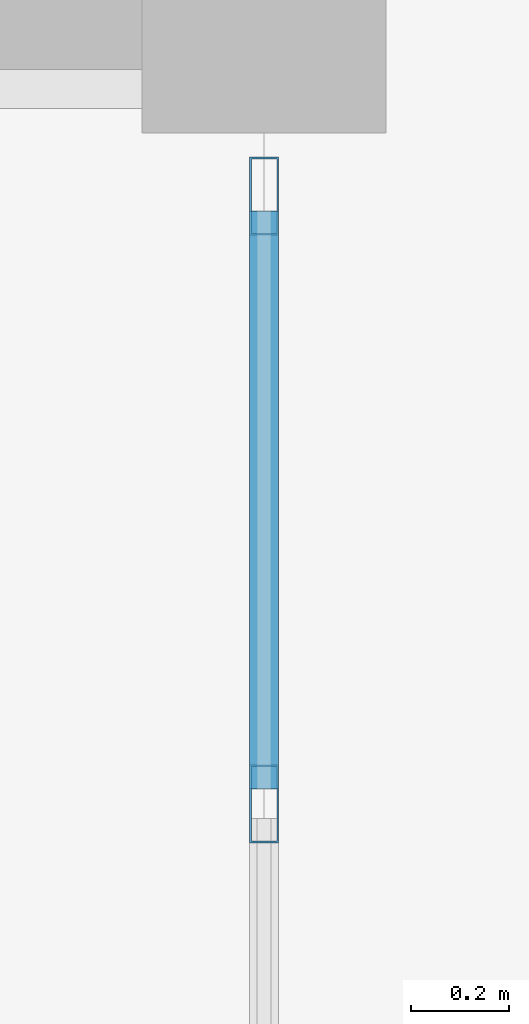
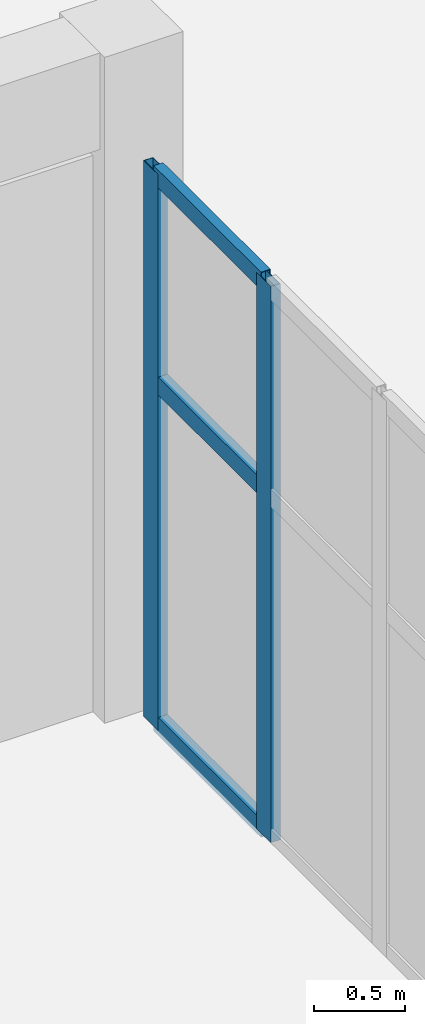
# One storey, part 29 of 132: 5 members, 1 element without a shape of its own.
"""IFC4 building model written with IfcOpenShell, lengths in metres."""

from ifc_helpers import new_model, si_unit, direction, frame, origin, origin_2d, place, context, subcontext, project, spatial, hollow_rectangle, extrude, material, material_profile, profile_set, type_object, element, aggregate, save


model = new_model("IFC4")

# Units and contexts
model_context = context("Model", 3, precision=1e-05, world=origin(), true_north=direction((0.0, 1.0)))
body_context = subcontext(model_context, "Body", "Model", "MODEL_VIEW")
ifc_project = project(units=[si_unit("LENGTHUNIT", "METRE"), si_unit("AREAUNIT", "SQUARE_METRE"), si_unit("VOLUMEUNIT", "CUBIC_METRE"), si_unit("PLANEANGLEUNIT", "RADIAN"), si_unit("MASSUNIT", "GRAM", prefix="KILO")], contexts=[model_context])

# Site, building, storey
site_placement = place(None, origin())
site = spatial("IfcSite", under=ifc_project, at=site_placement, CompositionType="ELEMENT")
building_placement = place(site_placement, origin())
building = spatial("IfcBuilding", under=site, at=building_placement, Name="Tanwirah Colonnade Gardens", CompositionType="ELEMENT")
storey_placement = place(building_placement, origin())
storey = spatial("IfcBuildingStorey", under=building, at=storey_placement, Name="L00", CompositionType="ELEMENT", Elevation=0.0)

# Curtain wall, members
ifc_material_1 = material(Name="Bronze-anodised aluminium and solar-control low-E glass", Category="aluminium")
curtain_wall_type = type_object("IfcCurtainWallType", Name="CW-SHP", PredefinedType="NOTDEFINED", material=ifc_material_1)
curtain_wall_placement = place(storey_placement, origin())
curtain_wall = element("IfcCurtainWall", 1, at=curtain_wall_placement, inside=storey, type_object=curtain_wall_type, Name="Curtain Wall CW-SHP-E-L00-E-2", PredefinedType="NOTDEFINED")
ifc_material_2 = material(Name="Bronze-anodised aluminium", Category="aluminium")
ifc_material_profile_1 = material_profile(ifc_material_2, hollow_rectangle(XDim=0.06005859375, YDim=0.159912109375, WallThickness=0.00390625, at=origin_2d()), Name="CW-MUL 60x160x4")
ifc_profile_set_1 = profile_set([ifc_material_profile_1], Name="Bronze-anodised aluminium")
member_type_1 = type_object("IfcMemberType", Name="CWM-60x160", PredefinedType="MULLION", material=ifc_profile_set_1)
member_1_placement = place(storey_placement, frame((120.0, 26.574951171875, 0.0), z_axis=(0.0, 0.0, 1.0), x_axis=(-1.0, 0.0, 0.0)))
member_1 = element("IfcMember", 2, at=member_1_placement, type_object=member_type_1, Name="CW-SHP mullion 4", PredefinedType="MULLION", context=body_context, shape_type="SweptSolid", body=[
    extrude(hollow_rectangle(XDim=0.06005859375, YDim=0.159912109375, WallThickness=0.00390625, at=origin_2d()), origin(), (0.0, 0.0, 1.0), 3.75),
])
member_2_placement = place(storey_placement, frame((120.0, 27.820068359375, 0.0), z_axis=(0.0, 0.0, 1.0), x_axis=(-1.0, 0.0, 0.0)))
member_2 = element("IfcMember", 3, at=member_2_placement, type_object=member_type_1, Name="CW-SHP mullion 5", PredefinedType="MULLION", context=body_context, shape_type="SweptSolid", body=[
    extrude(hollow_rectangle(XDim=0.06005859375, YDim=0.159912109375, WallThickness=0.00390625, at=origin_2d()), origin(), (0.0, 0.0, 1.0), 3.75),
])
ifc_material_profile_2 = material_profile(ifc_material_2, hollow_rectangle(XDim=0.06005859375, YDim=0.1201171875, WallThickness=0.00390625, at=origin_2d()), Name="CW-TRN 60x120x4")
ifc_profile_set_2 = profile_set([ifc_material_profile_2], Name="Bronze-anodised aluminium")
member_type_2 = type_object("IfcMemberType", Name="CWT-60x120", PredefinedType="USERDEFINED", material=ifc_profile_set_2)
member_3_placement = place(storey_placement, frame((120.0, 26.60498046875, 0.030029296875), z_axis=(0.0, 1.0, 0.0), x_axis=(-1.0, 0.0, 0.0)))
member_3 = element("IfcMember", 4, at=member_3_placement, type_object=member_type_2, Name="CW-SHP transom 4.1", ObjectType="TRANSOM", PredefinedType="USERDEFINED", context=body_context, shape_type="SweptSolid", body=[
    extrude(hollow_rectangle(XDim=0.06005859375, YDim=0.1201171875, WallThickness=0.00390625, at=origin_2d()), origin(), (0.0, 0.0, 1.0), 1.18505859375),
])
member_4_placement = place(storey_placement, frame((120.0, 26.60498046875, 2.324951171875), z_axis=(0.0, 1.0, 0.0), x_axis=(-1.0, 0.0, 0.0)))
member_4 = element("IfcMember", 5, at=member_4_placement, type_object=member_type_2, Name="CW-SHP transom 4.2", ObjectType="TRANSOM", PredefinedType="USERDEFINED", context=body_context, shape_type="SweptSolid", body=[
    extrude(hollow_rectangle(XDim=0.06005859375, YDim=0.1201171875, WallThickness=0.00390625, at=origin_2d()), origin(), (0.0, 0.0, 1.0), 1.18505859375),
])
member_5_placement = place(storey_placement, frame((120.0, 26.60498046875, 3.719970703125), z_axis=(0.0, 1.0, 0.0), x_axis=(-1.0, 0.0, 0.0)))
member_5 = element("IfcMember", 6, at=member_5_placement, type_object=member_type_2, Name="CW-SHP transom 4.3", ObjectType="TRANSOM", PredefinedType="USERDEFINED", context=body_context, shape_type="SweptSolid", body=[
    extrude(hollow_rectangle(XDim=0.06005859375, YDim=0.1201171875, WallThickness=0.00390625, at=origin_2d()), origin(), (0.0, 0.0, 1.0), 1.18505859375),
])
aggregate(curtain_wall, [member_1, member_2, member_3, member_4, member_5])

save(model, "model.ifc")
